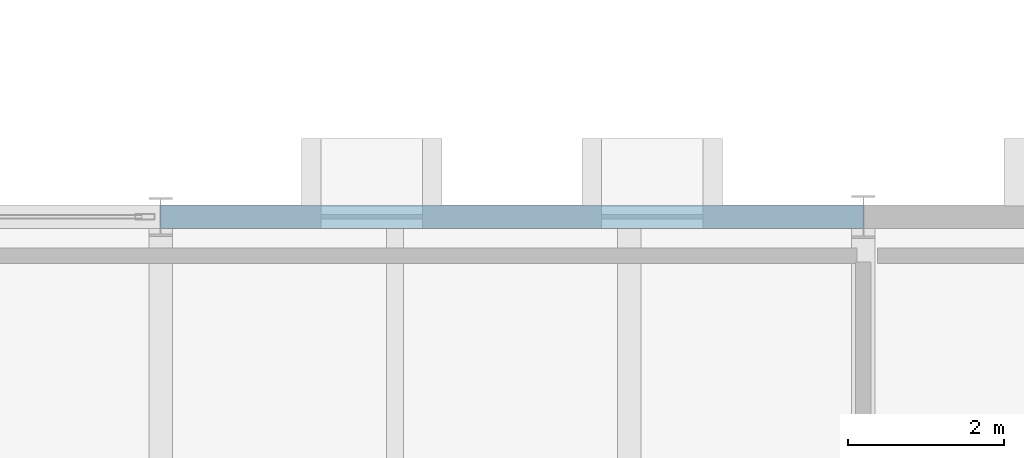
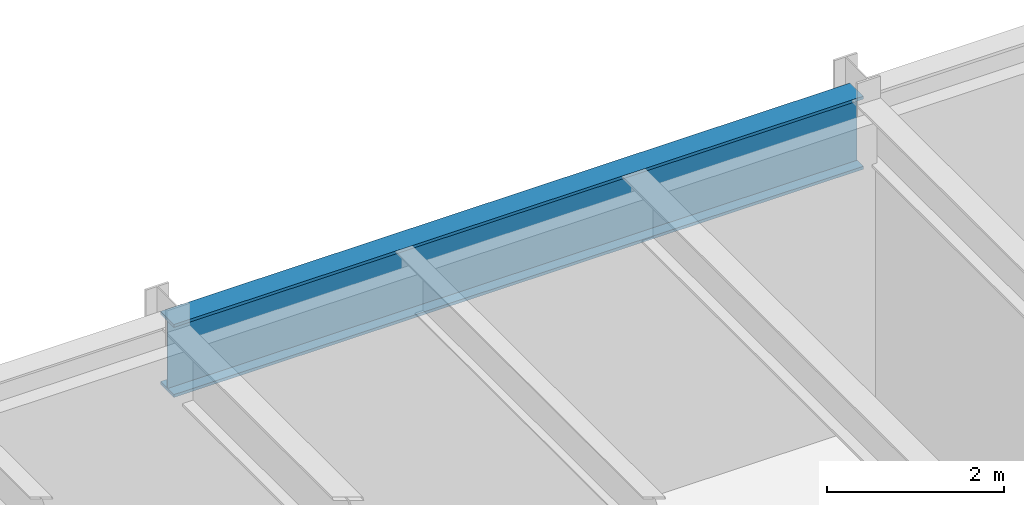
# One storey, part 88 of 142: 1 beam.
"""IFC4 building model written with IfcOpenShell, lengths in metres."""

from ifc_helpers import new_model, si_unit, direction, frame, origin, origin_2d, place, context, subcontext, project, spatial, i_section, extrude, material, material_profile, profile_set, type_object, element, save


model = new_model("IFC4")

# Units and contexts
model_context = context("Model", 3, precision=1e-05, world=origin(), true_north=direction((0.0, 1.0)))
body_context = subcontext(model_context, "Body", "Model", "MODEL_VIEW")
ifc_project = project(units=[si_unit("LENGTHUNIT", "METRE"), si_unit("AREAUNIT", "SQUARE_METRE"), si_unit("VOLUMEUNIT", "CUBIC_METRE"), si_unit("PLANEANGLEUNIT", "RADIAN"), si_unit("MASSUNIT", "GRAM", prefix="KILO")], contexts=[model_context])

# Site, building, storey
site_placement = place(None, origin())
site = spatial("IfcSite", under=ifc_project, at=site_placement, CompositionType="ELEMENT")
building_placement = place(site_placement, origin())
building = spatial("IfcBuilding", under=site, at=building_placement, Name="Montelvaro Courts of Justice", CompositionType="ELEMENT")
storey_placement = place(building_placement, frame((0.0, 0.0, 14.39990234375)))
storey = spatial("IfcBuildingStorey", under=building, at=storey_placement, Name="L03", CompositionType="ELEMENT", Elevation=14.39990234375)

# Beam
ifc_material = material(Name="Steel S355", Category="steel")
ifc_material_profile = material_profile(ifc_material, i_section(OverallWidth=0.302001953125, OverallDepth=1.008056640625, WebThickness=0.02099609375, FlangeThickness=0.0400390625, at=origin_2d()), Name="HEM 1000")
ifc_profile_set = profile_set([ifc_material_profile], Name="Steel S355")
beam_type = type_object("IfcBeamType", Name="Beam_HEM1000", PredefinedType="USERDEFINED", material=ifc_profile_set)
beam_placement = place(storey_placement, frame((135.0, 96.0, 3.696044921875), z_axis=(1.0, 0.0, 0.0), x_axis=(0.0, 1.0, 0.0)))
element("IfcBeam", 1, at=beam_placement, inside=storey, type_object=beam_type, Name="Pratt Cantilever Truss Chord CTR-V2-N-L04-BS1", ObjectType="GIRDER", PredefinedType="USERDEFINED", context=body_context, shape_type="SweptSolid", body=[
    extrude(i_section(OverallWidth=0.302001953125, OverallDepth=1.008056640625, WebThickness=0.02099609375, FlangeThickness=0.0400390625, at=origin_2d()), origin(), (0.0, 0.0, 1.0), 9.0),
])

save(model, "model.ifc")
